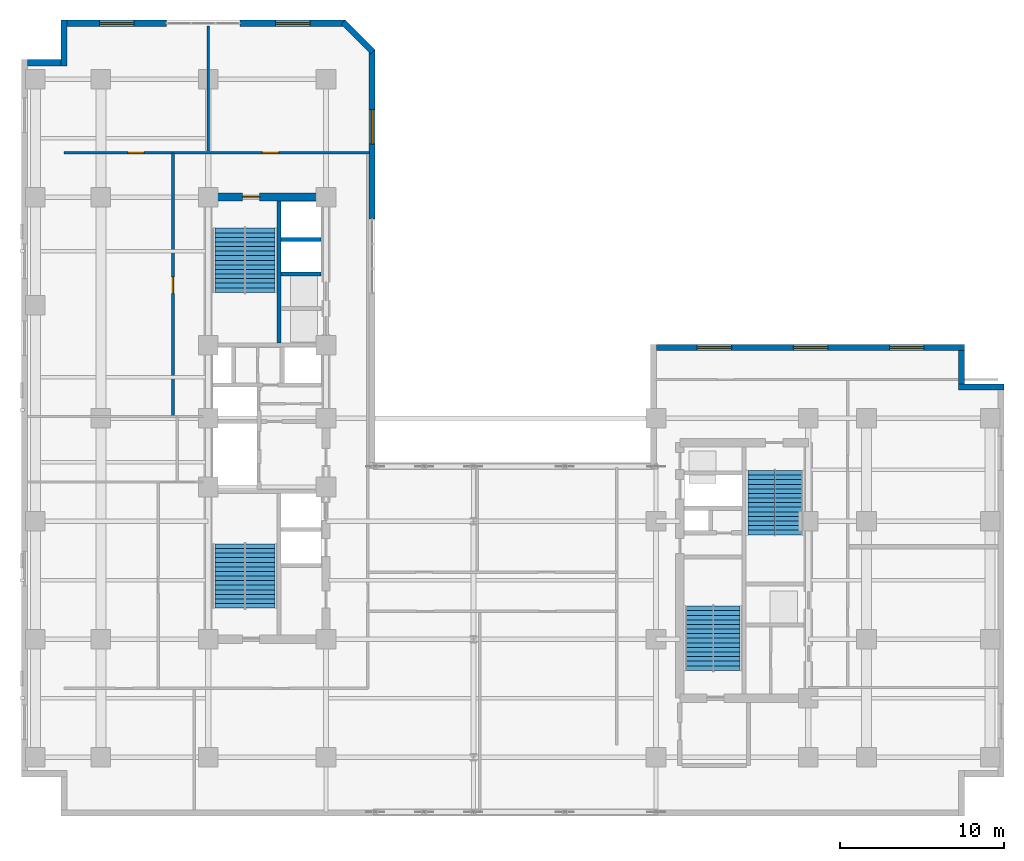
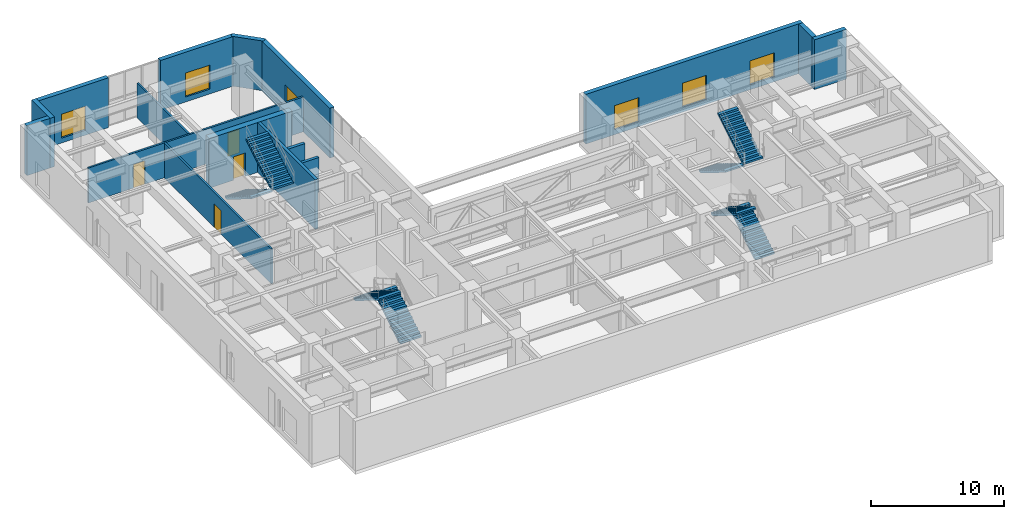
# One storey, part 14 of 18: 16 walls, 8 stair flights, 6 windows, 4 doors, 10 openings, 4 elements without a shape of their own.
"""IFC4 building model written with IfcOpenShell, lengths in metres."""

from ifc_helpers import new_model, entity, si_unit, converted_unit, direction, frame, origin_with_axes, origin_2d_with_axis, place, context, subcontext, project, spatial, polyline, rectangle, outline, extrude, material, layer, layer_set, type_object, element, fill, aggregate, save


model = new_model("IFC4")

# Units and contexts
model_context = context("Model", 3, precision=1e-05, world=origin_with_axes(), true_north=direction((0.0, 1.0)))
body_context = subcontext(model_context, "Body", "Model", "MODEL_VIEW")
ifc_project = project(units=[si_unit("LENGTHUNIT", "METRE"), si_unit("AREAUNIT", "SQUARE_METRE"), si_unit("VOLUMEUNIT", "CUBIC_METRE"), converted_unit("PLANEANGLEUNIT", "DEGREE", entity("IfcPlaneAngleMeasure", 0.017453292519943295), si_unit("PLANEANGLEUNIT", "RADIAN"), dimensions=[0, 0, 0, 0, 0, 0, 0]), si_unit("MASSUNIT", "GRAM", prefix="KILO"), si_unit("THERMODYNAMICTEMPERATUREUNIT", "KELVIN")], contexts=[model_context])

# Site, building, storey
site_placement = place(None, origin_with_axes())
site = spatial("IfcSite", under=ifc_project, at=site_placement, CompositionType="ELEMENT")
building_placement = place(site_placement, origin_with_axes())
building = spatial("IfcBuilding", under=site, at=building_placement, Name="Varnlund Millrace Tower", CompositionType="ELEMENT")
storey_placement = place(building_placement, frame((0.0, 0.0, 124.2), z_axis=(0.0, 0.0, 1.0), x_axis=(1.0, 0.0, 0.0)))
storey = spatial("IfcBuildingStorey", under=building, at=storey_placement, Name="L30", CompositionType="ELEMENT", Elevation=124.2)

# Wall, opening, door
ifc_material_1 = material(Name="Concrete C70/85", Category="concrete")
ifc_layer_1 = layer(ifc_material_1, 0.5, Name="Concrete C70/85")
ifc_layer_set_1 = layer_set([ifc_layer_1], Name="Concrete C70/85")
wall_type_1 = type_object("IfcWallType", Name="Type-CoreWall-Shear-500-C70", PredefinedType="SHEAR", material=ifc_layer_set_1)
wall_1_placement = place(storey_placement, frame((11.4, 37.8, 0.0), z_axis=(0.0, 0.0, 1.0), x_axis=(1.0, 0.0, 0.0)))
wall_1 = element("IfcWall", 1, at=wall_1_placement, inside=storey, type_object=wall_type_1, Name="Type-CoreWall-Shear-500-C70", PredefinedType="SHEAR", context=body_context, shape_type="SweptSolid", body=[
    extrude(outline(polyline([(0.0, -0.25), (7.2, -0.25), (7.2, 0.25), (0.0, 0.25), (0.0, -0.25)])), origin_with_axes(), (0.0, 0.0, 1.0), 4.56),
])
opening_1_placement = place(wall_1_placement, frame((2.625, 0.0, 0.0), z_axis=(0.0, 0.0, 1.0), x_axis=(1.0, 0.0, 0.0)))
opening_1 = element("IfcOpeningElement", 2, at=opening_1_placement, cuts=wall_1, Name="Opening L30:DR-STA2", PredefinedType="OPENING", context=body_context, shape_type="SweptSolid", body=[
    extrude(rectangle(XDim=1.05, YDim=0.52, at=origin_2d_with_axis()), origin_with_axes(), (0.0, 0.0, 1.0), 2.15),
])
ifc_material_2 = material(Name="Fire-rated hollow steel door", Category="steel")
door_type_1 = type_object("IfcDoorType", Name="Type-FireDoor-Stair-1050X2150", OperationType="NOTDEFINED", PredefinedType="DOOR", material=ifc_material_2)
door_1_placement = place(wall_1_placement, frame((2.625, 0.0, 0.0), z_axis=(0.0, 0.0, 1.0), x_axis=(1.0, 0.0, 0.0)))
door_1 = element("IfcDoor", 3, at=door_1_placement, inside=storey, type_object=door_type_1, Name="Type-FireDoor-Stair-1050X2150", OperationType="SINGLE_SWING_RIGHT", OverallHeight=2.15, OverallWidth=1.05, PredefinedType="DOOR", context=body_context, shape_type="SweptSolid", body=[
    extrude(rectangle(XDim=1.05, YDim=0.09, at=origin_2d_with_axis()), origin_with_axes(), (0.0, 0.0, 1.0), 2.15),
])
fill(opening_1, door_1)

# Wall, openings, windows
ifc_material_3 = material(Name="Precast concrete C50/60", Category="concrete")
ifc_layer_2 = layer(ifc_material_3, 0.38, Name="Precast concrete C50/60")
ifc_layer_set_2 = layer_set([ifc_layer_2], Name="Precast concrete C50/60")
wall_type_2 = type_object("IfcWallType", Name="Type-ExtWall-Precast-Tube-380", PredefinedType="SOLIDWALL", material=ifc_layer_set_2)
wall_2_placement = place(storey_placement, frame((38.78, 28.61, 0.0), z_axis=(0.0, 0.0, 1.0), x_axis=(1.0, 0.0, 0.0)))
wall_2 = element("IfcWall", 4, at=wall_2_placement, inside=storey, type_object=wall_type_2, Name="Type-ExtWall-Precast-Tube-380", PredefinedType="SOLIDWALL", context=body_context, shape_type="SweptSolid", body=[
    extrude(outline(polyline([(0.0, -0.19), (18.82, -0.19), (18.82, 0.19), (0.0, 0.19), (0.0, -0.19)])), origin_with_axes(), (0.0, 0.0, 1.0), 4.56),
])
opening_2_placement = place(wall_2_placement, frame((3.537, 0.0, 0.45), z_axis=(0.0, 0.0, 1.0), x_axis=(1.0, 0.0, 0.0)))
opening_2 = element("IfcOpeningElement", 5, at=opening_2_placement, cuts=wall_2, Name="Opening L30:WN-01", PredefinedType="OPENING", context=body_context, shape_type="SweptSolid", body=[
    extrude(rectangle(XDim=2.1, YDim=0.4, at=origin_2d_with_axis()), origin_with_axes(), (0.0, 0.0, 1.0), 2.2),
])
opening_3_placement = place(wall_2_placement, frame((9.41, 0.0, 0.45), z_axis=(0.0, 0.0, 1.0), x_axis=(1.0, 0.0, 0.0)))
opening_3 = element("IfcOpeningElement", 6, at=opening_3_placement, cuts=wall_2, Name="Opening L30:WN-02", PredefinedType="OPENING", context=body_context, shape_type="SweptSolid", body=[
    extrude(rectangle(XDim=2.1, YDim=0.4, at=origin_2d_with_axis()), origin_with_axes(), (0.0, 0.0, 1.0), 2.2),
])
opening_4_placement = place(wall_2_placement, frame((15.283, 0.0, 0.45), z_axis=(0.0, 0.0, 1.0), x_axis=(1.0, 0.0, 0.0)))
opening_4 = element("IfcOpeningElement", 7, at=opening_4_placement, cuts=wall_2, Name="Opening L30:WN-03", PredefinedType="OPENING", context=body_context, shape_type="SweptSolid", body=[
    extrude(rectangle(XDim=2.1, YDim=0.4, at=origin_2d_with_axis()), origin_with_axes(), (0.0, 0.0, 1.0), 2.2),
])
ifc_material_4 = material(Name="Argon low-e triple glazing in thermally broken bronze frame", Category="glass")
window_type = type_object("IfcWindowType", Name="Type-Window-Punched-2100X2200", PartitioningType="SINGLE_PANEL", PredefinedType="WINDOW", material=ifc_material_4)
window_1_placement = place(wall_2_placement, frame((3.537, 0.0, 0.45), z_axis=(0.0, 0.0, 1.0), x_axis=(1.0, 0.0, 0.0)))
window_1 = element("IfcWindow", 8, at=window_1_placement, inside=storey, type_object=window_type, Name="Type-Window-Punched-2100X2200", OverallHeight=2.2, OverallWidth=2.1, PredefinedType="WINDOW", context=body_context, shape_type="SweptSolid", body=[
    extrude(rectangle(XDim=2.1, YDim=0.09, at=origin_2d_with_axis()), origin_with_axes(), (0.0, 0.0, 1.0), 2.2),
])
fill(opening_2, window_1)
window_2_placement = place(wall_2_placement, frame((9.41, 0.0, 0.45), z_axis=(0.0, 0.0, 1.0), x_axis=(1.0, 0.0, 0.0)))
window_2 = element("IfcWindow", 9, at=window_2_placement, inside=storey, type_object=window_type, Name="Type-Window-Punched-2100X2200", OverallHeight=2.2, OverallWidth=2.1, PredefinedType="WINDOW", context=body_context, shape_type="SweptSolid", body=[
    extrude(rectangle(XDim=2.1, YDim=0.09, at=origin_2d_with_axis()), origin_with_axes(), (0.0, 0.0, 1.0), 2.2),
])
fill(opening_3, window_2)
window_3_placement = place(wall_2_placement, frame((15.283, 0.0, 0.45), z_axis=(0.0, 0.0, 1.0), x_axis=(1.0, 0.0, 0.0)))
window_3 = element("IfcWindow", 10, at=window_3_placement, inside=storey, type_object=window_type, Name="Type-Window-Punched-2100X2200", OverallHeight=2.2, OverallWidth=2.1, PredefinedType="WINDOW", context=body_context, shape_type="SweptSolid", body=[
    extrude(rectangle(XDim=2.1, YDim=0.09, at=origin_2d_with_axis()), origin_with_axes(), (0.0, 0.0, 1.0), 2.2),
])
fill(opening_4, window_3)

# Walls
wall_3_placement = place(storey_placement, frame((57.41, 28.42, 0.0), z_axis=(0.0, 0.0, 1.0), x_axis=(0.0, -1.0, 0.0)))
element("IfcWall", 11, at=wall_3_placement, inside=storey, type_object=wall_type_2, Name="Type-ExtWall-Precast-Tube-380", PredefinedType="SOLIDWALL", context=body_context, shape_type="SweptSolid", body=[
    extrude(outline(polyline([(0.0, -0.19), (2.02, -0.19), (2.02, 0.19), (0.0, 0.19), (0.0, -0.19)])), origin_with_axes(), (0.0, 0.0, 1.0), 4.56),
])
wall_4_placement = place(storey_placement, frame((57.22, 26.21, 0.0), z_axis=(0.0, 0.0, 1.0), x_axis=(1.0, 0.0, 0.0)))
element("IfcWall", 12, at=wall_4_placement, inside=storey, type_object=wall_type_2, Name="Type-ExtWall-Precast-Tube-380", PredefinedType="SOLIDWALL", context=body_context, shape_type="SweptSolid", body=[
    extrude(outline(polyline([(0.0, -0.19), (2.78, -0.19), (2.78, 0.19), (0.0, 0.19), (0.0, -0.19)])), origin_with_axes(), (0.0, 0.0, 1.0), 4.56),
])
wall_5_placement = place(storey_placement, frame((0.38, 46.01, 0.0), z_axis=(0.0, 0.0, 1.0), x_axis=(1.0, 0.0, 0.0)))
element("IfcWall", 13, at=wall_5_placement, inside=storey, type_object=wall_type_2, Name="Type-ExtWall-Precast-Tube-380", PredefinedType="SOLIDWALL", context=body_context, shape_type="SweptSolid", body=[
    extrude(outline(polyline([(0.0, -0.19), (2.02, -0.19), (2.02, 0.19), (0.0, 0.19), (0.0, -0.19)])), origin_with_axes(), (0.0, 0.0, 1.0), 4.56),
])
wall_6_placement = place(storey_placement, frame((2.59, 45.82, 0.0), z_axis=(0.0, 0.0, 1.0), x_axis=(0.0, 1.0, 0.0)))
element("IfcWall", 14, at=wall_6_placement, inside=storey, type_object=wall_type_2, Name="Type-ExtWall-Precast-Tube-380", PredefinedType="SOLIDWALL", context=body_context, shape_type="SweptSolid", body=[
    extrude(outline(polyline([(0.0, -0.19), (2.78, -0.19), (2.78, 0.19), (0.0, 0.19), (0.0, -0.19)])), origin_with_axes(), (0.0, 0.0, 1.0), 4.56),
])

# Wall, opening, window
wall_7_placement = place(storey_placement, frame((2.78, 48.41, 0.0), z_axis=(0.0, 0.0, 1.0), x_axis=(1.0, 0.0, 0.0)))
wall_7 = element("IfcWall", 15, at=wall_7_placement, inside=storey, type_object=wall_type_2, Name="Type-ExtWall-Precast-Tube-380", PredefinedType="SOLIDWALL", context=body_context, shape_type="SweptSolid", body=[
    extrude(outline(polyline([(0.0, -0.19), (6.07, -0.19), (6.07, 0.19), (0.0, 0.19), (0.0, -0.19)])), origin_with_axes(), (0.0, 0.0, 1.0), 4.56),
])
opening_5_placement = place(wall_7_placement, frame((3.035, 0.0, 0.45), z_axis=(0.0, 0.0, 1.0), x_axis=(1.0, 0.0, 0.0)))
opening_5 = element("IfcOpeningElement", 16, at=opening_5_placement, cuts=wall_7, Name="Opening L30:WN-11", PredefinedType="OPENING", context=body_context, shape_type="SweptSolid", body=[
    extrude(rectangle(XDim=2.1, YDim=0.4, at=origin_2d_with_axis()), origin_with_axes(), (0.0, 0.0, 1.0), 2.2),
])
window_4_placement = place(wall_7_placement, frame((3.035, 0.0, 0.45), z_axis=(0.0, 0.0, 1.0), x_axis=(1.0, 0.0, 0.0)))
window_4 = element("IfcWindow", 17, at=window_4_placement, inside=storey, type_object=window_type, Name="Type-Window-Punched-2100X2200", OverallHeight=2.2, OverallWidth=2.1, PredefinedType="WINDOW", context=body_context, shape_type="SweptSolid", body=[
    extrude(rectangle(XDim=2.1, YDim=0.09, at=origin_2d_with_axis()), origin_with_axes(), (0.0, 0.0, 1.0), 2.2),
])
fill(opening_5, window_4)

wall_8_placement = place(storey_placement, frame((13.35, 48.41, 0.0), z_axis=(0.0, 0.0, 1.0), x_axis=(1.0, 0.0, 0.0)))
wall_8 = element("IfcWall", 18, at=wall_8_placement, inside=storey, type_object=wall_type_2, Name="Type-ExtWall-Precast-Tube-380", PredefinedType="SOLIDWALL", context=body_context, shape_type="SweptSolid", body=[
    extrude(outline(polyline([(0.0, -0.19), (6.45, -0.19), (6.45, 0.19), (0.0, 0.19), (0.0, -0.19)])), origin_with_axes(), (0.0, 0.0, 1.0), 4.56),
])
opening_6_placement = place(wall_8_placement, frame((3.225, 0.0, 0.45), z_axis=(0.0, 0.0, 1.0), x_axis=(1.0, 0.0, 0.0)))
opening_6 = element("IfcOpeningElement", 19, at=opening_6_placement, cuts=wall_8, Name="Opening L30:WN-12", PredefinedType="OPENING", context=body_context, shape_type="SweptSolid", body=[
    extrude(rectangle(XDim=2.1, YDim=0.4, at=origin_2d_with_axis()), origin_with_axes(), (0.0, 0.0, 1.0), 2.2),
])
window_5_placement = place(wall_8_placement, frame((3.225, 0.0, 0.45), z_axis=(0.0, 0.0, 1.0), x_axis=(1.0, 0.0, 0.0)))
window_5 = element("IfcWindow", 20, at=window_5_placement, inside=storey, type_object=window_type, Name="Type-Window-Punched-2100X2200", OverallHeight=2.2, OverallWidth=2.1, PredefinedType="WINDOW", context=body_context, shape_type="SweptSolid", body=[
    extrude(rectangle(XDim=2.1, YDim=0.09, at=origin_2d_with_axis()), origin_with_axes(), (0.0, 0.0, 1.0), 2.2),
])
fill(opening_6, window_5)

# Wall
wall_9_placement = place(storey_placement, frame((19.652, 48.48, 0.0), z_axis=(0.0, 0.0, 1.0), x_axis=(0.707107, -0.707107, 0.0)))
element("IfcWall", 21, at=wall_9_placement, inside=storey, type_object=wall_type_2, Name="Type-ExtWall-Precast-Tube-380", PredefinedType="SOLIDWALL", context=body_context, shape_type="SweptSolid", body=[
    extrude(outline(polyline([(0.0, -0.19), (2.565383, -0.19), (2.565383, 0.19), (0.0, 0.19), (0.0, -0.19)])), origin_with_axes(), (0.0, 0.0, 1.0), 4.56),
])

# Wall, opening, window
wall_10_placement = place(storey_placement, frame((21.41, 46.82, 0.0), z_axis=(0.0, 0.0, 1.0), x_axis=(0.0, -1.0, 0.0)))
wall_10 = element("IfcWall", 22, at=wall_10_placement, inside=storey, type_object=wall_type_2, Name="Type-ExtWall-Precast-Tube-380", PredefinedType="SOLIDWALL", context=body_context, shape_type="SweptSolid", body=[
    extrude(outline(polyline([(0.0, -0.19), (10.37, -0.19), (10.37, 0.19), (0.0, 0.19), (0.0, -0.19)])), origin_with_axes(), (0.0, 0.0, 1.0), 4.56),
])
opening_7_placement = place(wall_10_placement, frame((4.735, 0.0, 0.45), z_axis=(0.0, 0.0, 1.0), x_axis=(1.0, 0.0, 0.0)))
opening_7 = element("IfcOpeningElement", 23, at=opening_7_placement, cuts=wall_10, Name="Opening L30:WN-13", PredefinedType="OPENING", context=body_context, shape_type="SweptSolid", body=[
    extrude(rectangle(XDim=2.1, YDim=0.4, at=origin_2d_with_axis()), origin_with_axes(), (0.0, 0.0, 1.0), 2.2),
])
window_6_placement = place(wall_10_placement, frame((4.735, 0.0, 0.45), z_axis=(0.0, 0.0, 1.0), x_axis=(1.0, 0.0, 0.0)))
window_6 = element("IfcWindow", 24, at=window_6_placement, inside=storey, type_object=window_type, Name="Type-Window-Punched-2100X2200", OverallHeight=2.2, OverallWidth=2.1, PredefinedType="WINDOW", context=body_context, shape_type="SweptSolid", body=[
    extrude(rectangle(XDim=2.1, YDim=0.09, at=origin_2d_with_axis()), origin_with_axes(), (0.0, 0.0, 1.0), 2.2),
])
fill(opening_7, window_6)

# Wall, openings, doors
ifc_material_5 = material(Name="Fire-rated gypsum board on cold-formed steel framing", Category="steel")
ifc_layer_3 = layer(ifc_material_5, 0.16, Name="Fire-rated gypsum board on cold-formed steel framing")
ifc_layer_set_3 = layer_set([ifc_layer_3], Name="Fire-rated gypsum board on cold-formed steel framing")
wall_type_3 = type_object("IfcWallType", Name="Type-Partition-Corridor-160", PredefinedType="PARTITIONING", material=ifc_layer_set_3)
wall_11_placement = place(storey_placement, frame((2.6, 40.5, 0.0), z_axis=(0.0, 0.0, 1.0), x_axis=(1.0, 0.0, 0.0)))
wall_11 = element("IfcWall", 25, at=wall_11_placement, inside=storey, type_object=wall_type_3, Name="Type-Partition-Corridor-160", PredefinedType="PARTITIONING", context=body_context, shape_type="SweptSolid", body=[
    extrude(outline(polyline([(0.0, -0.08), (18.65, -0.08), (18.65, 0.08), (0.0, 0.08), (0.0, -0.08)])), origin_with_axes(), (0.0, 0.0, 1.0), 3.2),
])
opening_8_placement = place(wall_11_placement, frame((4.395, 0.0, 0.0), z_axis=(0.0, 0.0, 1.0), x_axis=(1.0, 0.0, 0.0)))
opening_8 = element("IfcOpeningElement", 26, at=opening_8_placement, cuts=wall_11, Name="Opening L30:DR-WAN-01", PredefinedType="OPENING", context=body_context, shape_type="SweptSolid", body=[
    extrude(rectangle(XDim=1.0, YDim=0.18, at=origin_2d_with_axis()), origin_with_axes(), (0.0, 0.0, 1.0), 2.15),
])
opening_9_placement = place(wall_11_placement, frame((12.61, 0.0, 0.0), z_axis=(0.0, 0.0, 1.0), x_axis=(1.0, 0.0, 0.0)))
opening_9 = element("IfcOpeningElement", 27, at=opening_9_placement, cuts=wall_11, Name="Opening L30:DR-WAN-02", PredefinedType="OPENING", context=body_context, shape_type="SweptSolid", body=[
    extrude(rectangle(XDim=1.0, YDim=0.18, at=origin_2d_with_axis()), origin_with_axes(), (0.0, 0.0, 1.0), 2.15),
])
ifc_material_6 = material(Name="Solid-core white oak and bronze frame door")
door_type_2 = type_object("IfcDoorType", Name="Type-IntDoor-Office-1000X2150", OperationType="NOTDEFINED", PredefinedType="DOOR", material=ifc_material_6)
door_2_placement = place(wall_11_placement, frame((4.395, 0.0, 0.0), z_axis=(0.0, 0.0, 1.0), x_axis=(1.0, 0.0, 0.0)))
door_2 = element("IfcDoor", 28, at=door_2_placement, inside=storey, type_object=door_type_2, Name="Type-IntDoor-Office-1000X2150", OperationType="SINGLE_SWING_LEFT", OverallHeight=2.15, OverallWidth=1.0, PredefinedType="DOOR", context=body_context, shape_type="SweptSolid", body=[
    extrude(rectangle(XDim=1.0, YDim=0.09, at=origin_2d_with_axis()), origin_with_axes(), (0.0, 0.0, 1.0), 2.15),
])
fill(opening_8, door_2)
door_3_placement = place(wall_11_placement, frame((12.61, 0.0, 0.0), z_axis=(0.0, 0.0, 1.0), x_axis=(1.0, 0.0, 0.0)))
door_3 = element("IfcDoor", 29, at=door_3_placement, inside=storey, type_object=door_type_2, Name="Type-IntDoor-Office-1000X2150", OperationType="SINGLE_SWING_RIGHT", OverallHeight=2.15, OverallWidth=1.0, PredefinedType="DOOR", context=body_context, shape_type="SweptSolid", body=[
    extrude(rectangle(XDim=1.0, YDim=0.09, at=origin_2d_with_axis()), origin_with_axes(), (0.0, 0.0, 1.0), 2.15),
])
fill(opening_9, door_3)

# Wall, opening, door
wall_12_placement = place(storey_placement, frame((9.25, 24.4, 0.0), z_axis=(0.0, 0.0, 1.0), x_axis=(0.0, 1.0, 0.0)))
wall_12 = element("IfcWall", 30, at=wall_12_placement, inside=storey, type_object=wall_type_3, Name="Type-Partition-Corridor-160", PredefinedType="PARTITIONING", context=body_context, shape_type="SweptSolid", body=[
    extrude(outline(polyline([(0.0, -0.08), (16.1, -0.08), (16.1, 0.08), (0.0, 0.08), (0.0, -0.08)])), origin_with_axes(), (0.0, 0.0, 1.0), 3.2),
])
opening_10_placement = place(wall_12_placement, frame((8.025, 0.0, 0.0), z_axis=(0.0, 0.0, 1.0), x_axis=(1.0, 0.0, 0.0)))
opening_10 = element("IfcOpeningElement", 31, at=opening_10_placement, cuts=wall_12, Name="Opening L30:DR-WN-01", PredefinedType="OPENING", context=body_context, shape_type="SweptSolid", body=[
    extrude(rectangle(XDim=1.0, YDim=0.18, at=origin_2d_with_axis()), origin_with_axes(), (0.0, 0.0, 1.0), 2.15),
])
door_4_placement = place(wall_12_placement, frame((8.025, 0.0, 0.0), z_axis=(0.0, 0.0, 1.0), x_axis=(1.0, 0.0, 0.0)))
door_4 = element("IfcDoor", 32, at=door_4_placement, inside=storey, type_object=door_type_2, Name="Type-IntDoor-Office-1000X2150", OperationType="SINGLE_SWING_LEFT", OverallHeight=2.15, OverallWidth=1.0, PredefinedType="DOOR", context=body_context, shape_type="SweptSolid", body=[
    extrude(rectangle(XDim=1.0, YDim=0.09, at=origin_2d_with_axis()), origin_with_axes(), (0.0, 0.0, 1.0), 2.15),
])
fill(opening_10, door_4)

# Walls
ifc_material_7 = material(Name="Acoustic STC-50 gypsum board partition", Category="gypsum")
ifc_layer_4 = layer(ifc_material_7, 0.15, Name="Acoustic STC-50 gypsum board partition")
ifc_layer_set_4 = layer_set([ifc_layer_4], Name="Acoustic STC-50 gypsum board partition")
wall_type_4 = type_object("IfcWallType", Name="Type-Partition-Demising-150", PredefinedType="PARTITIONING", material=ifc_layer_set_4)
wall_13_placement = place(storey_placement, frame((11.4, 40.6, 0.0), z_axis=(0.0, 0.0, 1.0), x_axis=(0.0, 1.0, 0.0)))
element("IfcWall", 33, at=wall_13_placement, inside=storey, type_object=wall_type_4, Name="Type-Partition-Demising-150", PredefinedType="PARTITIONING", context=body_context, shape_type="SweptSolid", body=[
    extrude(outline(polyline([(0.0, -0.075), (7.64, -0.075), (7.64, 0.075), (0.0, 0.075), (0.0, -0.075)])), origin_with_axes(), (0.0, 0.0, 1.0), 3.2),
])
ifc_material_8 = material(Name="Concrete C60/75", Category="concrete")
ifc_layer_5 = layer(ifc_material_8, 0.25, Name="Concrete C60/75")
ifc_layer_set_5 = layer_set([ifc_layer_5], Name="Concrete C60/75")
wall_type_5 = type_object("IfcWallType", Name="Type-ShaftWall-Fire-250", PredefinedType="SOLIDWALL", material=ifc_layer_set_5)
for number, where, z_axis, x_axis, name in (
    (34, (15.84, 33.1, 0.0), (0.0, 0.0, 1.0), (1.0, 0.0, 0.0), "Type-ShaftWall-Fire-250"),
    (35, (15.84, 35.2, 0.0), (0.0, 0.0, 1.0), (1.0, 0.0, 0.0), "Type-ShaftWall-Fire-250"),
):
    element("IfcWall", number, at=place(storey_placement, frame(where, z_axis=z_axis, x_axis=x_axis)), inside=storey, type_object=wall_type_5, Name=name, PredefinedType="SOLIDWALL", context=body_context, shape_type="SweptSolid", body=[
        extrude(outline(polyline([(0.0, -0.125), (2.46, -0.125), (2.46, 0.125), (0.0, 0.125), (0.0, -0.125)])), origin_with_axes(), (0.0, 0.0, 1.0), 3.2),
    ])
wall_type_6 = type_object("IfcWallType", Name="Type-StairWall-Shear-250", PredefinedType="SHEAR", material=ifc_layer_set_5)
wall_14_placement = place(storey_placement, frame((15.725, 28.9, 0.0), z_axis=(0.0, 0.0, 1.0), x_axis=(0.0, 1.0, 0.0)))
element("IfcWall", 36, at=wall_14_placement, inside=storey, type_object=wall_type_6, Name="Type-StairWall-Shear-250", PredefinedType="SHEAR", context=body_context, shape_type="SweptSolid", body=[
    extrude(outline(polyline([(0.0, -0.125), (8.65, -0.125), (8.65, 0.125), (0.0, 0.125), (0.0, -0.125)])), origin_with_axes(), (0.0, 0.0, 1.0), 4.56),
])

# Stair, stair flights
ifc_material_9 = material(Name="Concrete C50/60", Category="concrete")
stair_type_1 = type_object("IfcStairType", Name="Type-Stair-Dogleg-165-480", PredefinedType="HALF_TURN_STAIR", material=ifc_material_9)
stair_1_placement = place(storey_placement, origin_with_axes())
stair_1 = element("IfcStair", 37, at=stair_1_placement, inside=storey, type_object=stair_type_1, Name="Type-Stair-Dogleg-165-480", PredefinedType="HALF_TURN_STAIR")
stair_flight_type_1 = type_object("IfcStairFlightType", Name="Type-Dogleg-Run-165-480", PredefinedType="STRAIGHT", material=ifc_material_3)
stair_flight_1_placement = place(storey_placement, frame((42.225, 8.9, 0.0), z_axis=(1.0, 0.0, 0.0), x_axis=(0.0, 1.0, 0.0)))
stair_flight_1 = element("IfcStairFlight", 38, at=stair_flight_1_placement, type_object=stair_flight_type_1, Name="ST-B1 flight 1", NumberOfRisers=14, NumberOfTreads=14, PredefinedType="STRAIGHT", RiserHeight=0.171429, TreadLength=0.28, context=body_context, shape_type="SweptSolid", body=[
    extrude(outline(polyline([(0.0, 0.0), (0.0, 0.171429), (0.28, 0.171429), (0.28, 0.342857), (0.56, 0.342857), (0.56, 0.514286), (0.84, 0.514286), (0.84, 0.685714), (1.12, 0.685714), (1.12, 0.857143), (1.4, 0.857143), (1.4, 1.028572), (1.68, 1.028572), (1.68, 1.2), (1.96, 1.2), (1.96, 1.371429), (2.24, 1.371429), (2.24, 1.542857), (2.52, 1.542857), (2.52, 1.714286), (2.8, 1.714286), (2.8, 1.885715), (3.08, 1.885715), (3.08, 2.057143), (3.36, 2.057143), (3.36, 2.228572), (3.64, 2.228572), (3.64, 2.4), (3.92, 2.4), (3.92, 2.25), (0.28, 0.0), (0.0, 0.0)])), origin_with_axes(), (0.0, 0.0, 1.0), 1.65),
])
stair_flight_2_placement = place(storey_placement, frame((42.275, 12.82, 2.4), z_axis=(-1.0, 0.0, 0.0), x_axis=(0.0, -1.0, 0.0)))
stair_flight_2 = element("IfcStairFlight", 39, at=stair_flight_2_placement, type_object=stair_flight_type_1, Name="ST-B1 flight 2", NumberOfRisers=14, NumberOfTreads=14, PredefinedType="STRAIGHT", RiserHeight=0.171429, TreadLength=0.28, context=body_context, shape_type="SweptSolid", body=[
    extrude(outline(polyline([(0.0, 0.0), (0.0, 0.171429), (0.28, 0.171429), (0.28, 0.342857), (0.56, 0.342857), (0.56, 0.514286), (0.84, 0.514286), (0.84, 0.685714), (1.12, 0.685714), (1.12, 0.857143), (1.4, 0.857143), (1.4, 1.028572), (1.68, 1.028572), (1.68, 1.2), (1.96, 1.2), (1.96, 1.371429), (2.24, 1.371429), (2.24, 1.542857), (2.52, 1.542857), (2.52, 1.714286), (2.8, 1.714286), (2.8, 1.885715), (3.08, 1.885715), (3.08, 2.057143), (3.36, 2.057143), (3.36, 2.228572), (3.64, 2.228572), (3.64, 2.4), (3.92, 2.4), (3.92, 2.25), (0.28, 0.0), (0.0, 0.0)])), origin_with_axes(), (0.0, 0.0, 1.0), 1.65),
])
aggregate(stair_1, [stair_flight_1, stair_flight_2])

stair_2_placement = place(storey_placement, origin_with_axes())
stair_2 = element("IfcStair", 40, at=stair_2_placement, inside=storey, type_object=stair_type_1, Name="Type-Stair-Dogleg-165-480", PredefinedType="HALF_TURN_STAIR")
stair_flight_3_placement = place(storey_placement, frame((46.025, 21.1, 0.0), z_axis=(-1.0, 0.0, 0.0), x_axis=(0.0, -1.0, 0.0)))
stair_flight_3 = element("IfcStairFlight", 41, at=stair_flight_3_placement, type_object=stair_flight_type_1, Name="ST-B2 flight 1", NumberOfRisers=14, NumberOfTreads=14, PredefinedType="STRAIGHT", RiserHeight=0.171429, TreadLength=0.28, context=body_context, shape_type="SweptSolid", body=[
    extrude(outline(polyline([(0.0, 0.0), (0.0, 0.171429), (0.28, 0.171429), (0.28, 0.342857), (0.56, 0.342857), (0.56, 0.514286), (0.84, 0.514286), (0.84, 0.685714), (1.12, 0.685714), (1.12, 0.857143), (1.4, 0.857143), (1.4, 1.028572), (1.68, 1.028572), (1.68, 1.2), (1.96, 1.2), (1.96, 1.371429), (2.24, 1.371429), (2.24, 1.542857), (2.52, 1.542857), (2.52, 1.714286), (2.8, 1.714286), (2.8, 1.885715), (3.08, 1.885715), (3.08, 2.057143), (3.36, 2.057143), (3.36, 2.228572), (3.64, 2.228572), (3.64, 2.4), (3.92, 2.4), (3.92, 2.25), (0.28, 0.0), (0.0, 0.0)])), origin_with_axes(), (0.0, 0.0, 1.0), 1.65),
])
stair_flight_4_placement = place(storey_placement, frame((45.975, 17.18, 2.4), z_axis=(1.0, 0.0, 0.0), x_axis=(0.0, 1.0, 0.0)))
stair_flight_4 = element("IfcStairFlight", 42, at=stair_flight_4_placement, type_object=stair_flight_type_1, Name="ST-B2 flight 2", NumberOfRisers=14, NumberOfTreads=14, PredefinedType="STRAIGHT", RiserHeight=0.171429, TreadLength=0.28, context=body_context, shape_type="SweptSolid", body=[
    extrude(outline(polyline([(0.0, 0.0), (0.0, 0.171429), (0.28, 0.171429), (0.28, 0.342857), (0.56, 0.342857), (0.56, 0.514286), (0.84, 0.514286), (0.84, 0.685714), (1.12, 0.685714), (1.12, 0.857143), (1.4, 0.857143), (1.4, 1.028572), (1.68, 1.028572), (1.68, 1.2), (1.96, 1.2), (1.96, 1.371429), (2.24, 1.371429), (2.24, 1.542857), (2.52, 1.542857), (2.52, 1.714286), (2.8, 1.714286), (2.8, 1.885715), (3.08, 1.885715), (3.08, 2.057143), (3.36, 2.057143), (3.36, 2.228572), (3.64, 2.228572), (3.64, 2.4), (3.92, 2.4), (3.92, 2.25), (0.28, 0.0), (0.0, 0.0)])), origin_with_axes(), (0.0, 0.0, 1.0), 1.65),
])
aggregate(stair_2, [stair_flight_3, stair_flight_4])

stair_type_2 = type_object("IfcStairType", Name="Type-Stair-Dogleg-185-480", PredefinedType="HALF_TURN_STAIR", material=ifc_material_9)
stair_3_placement = place(storey_placement, origin_with_axes())
stair_3 = element("IfcStair", 43, at=stair_3_placement, inside=storey, type_object=stair_type_2, Name="Type-Stair-Dogleg-185-480", PredefinedType="HALF_TURN_STAIR")
stair_flight_type_2 = type_object("IfcStairFlightType", Name="Type-Dogleg-Run-185-480", PredefinedType="STRAIGHT", material=ifc_material_3)
stair_flight_5_placement = place(storey_placement, frame((13.625, 12.7, 0.0), z_axis=(1.0, 0.0, 0.0), x_axis=(0.0, 1.0, 0.0)))
stair_flight_5 = element("IfcStairFlight", 44, at=stair_flight_5_placement, type_object=stair_flight_type_2, Name="ST-A1 flight 1", NumberOfRisers=14, NumberOfTreads=14, PredefinedType="STRAIGHT", RiserHeight=0.171429, TreadLength=0.28, context=body_context, shape_type="SweptSolid", body=[
    extrude(outline(polyline([(0.0, 0.0), (0.0, 0.171429), (0.28, 0.171429), (0.28, 0.342857), (0.56, 0.342857), (0.56, 0.514286), (0.84, 0.514286), (0.84, 0.685714), (1.12, 0.685714), (1.12, 0.857143), (1.4, 0.857143), (1.4, 1.028572), (1.68, 1.028572), (1.68, 1.2), (1.96, 1.2), (1.96, 1.371429), (2.24, 1.371429), (2.24, 1.542857), (2.52, 1.542857), (2.52, 1.714286), (2.8, 1.714286), (2.8, 1.885715), (3.08, 1.885715), (3.08, 2.057143), (3.36, 2.057143), (3.36, 2.228572), (3.64, 2.228572), (3.64, 2.4), (3.92, 2.4), (3.92, 2.25), (0.28, 0.0), (0.0, 0.0)])), origin_with_axes(), (0.0, 0.0, 1.0), 1.85),
])
stair_flight_6_placement = place(storey_placement, frame((13.675, 16.62, 2.4), z_axis=(-1.0, 0.0, 0.0), x_axis=(0.0, -1.0, 0.0)))
stair_flight_6 = element("IfcStairFlight", 45, at=stair_flight_6_placement, type_object=stair_flight_type_2, Name="ST-A1 flight 2", NumberOfRisers=14, NumberOfTreads=14, PredefinedType="STRAIGHT", RiserHeight=0.171429, TreadLength=0.28, context=body_context, shape_type="SweptSolid", body=[
    extrude(outline(polyline([(0.0, 0.0), (0.0, 0.171429), (0.28, 0.171429), (0.28, 0.342857), (0.56, 0.342857), (0.56, 0.514286), (0.84, 0.514286), (0.84, 0.685714), (1.12, 0.685714), (1.12, 0.857143), (1.4, 0.857143), (1.4, 1.028572), (1.68, 1.028572), (1.68, 1.2), (1.96, 1.2), (1.96, 1.371429), (2.24, 1.371429), (2.24, 1.542857), (2.52, 1.542857), (2.52, 1.714286), (2.8, 1.714286), (2.8, 1.885715), (3.08, 1.885715), (3.08, 2.057143), (3.36, 2.057143), (3.36, 2.228572), (3.64, 2.228572), (3.64, 2.4), (3.92, 2.4), (3.92, 2.25), (0.28, 0.0), (0.0, 0.0)])), origin_with_axes(), (0.0, 0.0, 1.0), 1.85),
])
aggregate(stair_3, [stair_flight_5, stair_flight_6])

stair_4_placement = place(storey_placement, origin_with_axes())
stair_4 = element("IfcStair", 46, at=stair_4_placement, inside=storey, type_object=stair_type_2, Name="Type-Stair-Dogleg-185-480", PredefinedType="HALF_TURN_STAIR")
stair_flight_7_placement = place(storey_placement, frame((13.675, 35.9, 0.0), z_axis=(-1.0, 0.0, 0.0), x_axis=(0.0, -1.0, 0.0)))
stair_flight_7 = element("IfcStairFlight", 47, at=stair_flight_7_placement, type_object=stair_flight_type_2, Name="ST-A2 flight 1", NumberOfRisers=14, NumberOfTreads=14, PredefinedType="STRAIGHT", RiserHeight=0.171429, TreadLength=0.28, context=body_context, shape_type="SweptSolid", body=[
    extrude(outline(polyline([(0.0, 0.0), (0.0, 0.171429), (0.28, 0.171429), (0.28, 0.342857), (0.56, 0.342857), (0.56, 0.514286), (0.84, 0.514286), (0.84, 0.685714), (1.12, 0.685714), (1.12, 0.857143), (1.4, 0.857143), (1.4, 1.028572), (1.68, 1.028572), (1.68, 1.2), (1.96, 1.2), (1.96, 1.371429), (2.24, 1.371429), (2.24, 1.542857), (2.52, 1.542857), (2.52, 1.714286), (2.8, 1.714286), (2.8, 1.885715), (3.08, 1.885715), (3.08, 2.057143), (3.36, 2.057143), (3.36, 2.228572), (3.64, 2.228572), (3.64, 2.4), (3.92, 2.4), (3.92, 2.25), (0.28, 0.0), (0.0, 0.0)])), origin_with_axes(), (0.0, 0.0, 1.0), 1.85),
])
stair_flight_8_placement = place(storey_placement, frame((13.625, 31.98, 2.4), z_axis=(1.0, 0.0, 0.0), x_axis=(0.0, 1.0, 0.0)))
stair_flight_8 = element("IfcStairFlight", 48, at=stair_flight_8_placement, type_object=stair_flight_type_2, Name="ST-A2 flight 2", NumberOfRisers=14, NumberOfTreads=14, PredefinedType="STRAIGHT", RiserHeight=0.171429, TreadLength=0.28, context=body_context, shape_type="SweptSolid", body=[
    extrude(outline(polyline([(0.0, 0.0), (0.0, 0.171429), (0.28, 0.171429), (0.28, 0.342857), (0.56, 0.342857), (0.56, 0.514286), (0.84, 0.514286), (0.84, 0.685714), (1.12, 0.685714), (1.12, 0.857143), (1.4, 0.857143), (1.4, 1.028572), (1.68, 1.028572), (1.68, 1.2), (1.96, 1.2), (1.96, 1.371429), (2.24, 1.371429), (2.24, 1.542857), (2.52, 1.542857), (2.52, 1.714286), (2.8, 1.714286), (2.8, 1.885715), (3.08, 1.885715), (3.08, 2.057143), (3.36, 2.057143), (3.36, 2.228572), (3.64, 2.228572), (3.64, 2.4), (3.92, 2.4), (3.92, 2.25), (0.28, 0.0), (0.0, 0.0)])), origin_with_axes(), (0.0, 0.0, 1.0), 1.85),
])
aggregate(stair_4, [stair_flight_7, stair_flight_8])

save(model, "model.ifc")
